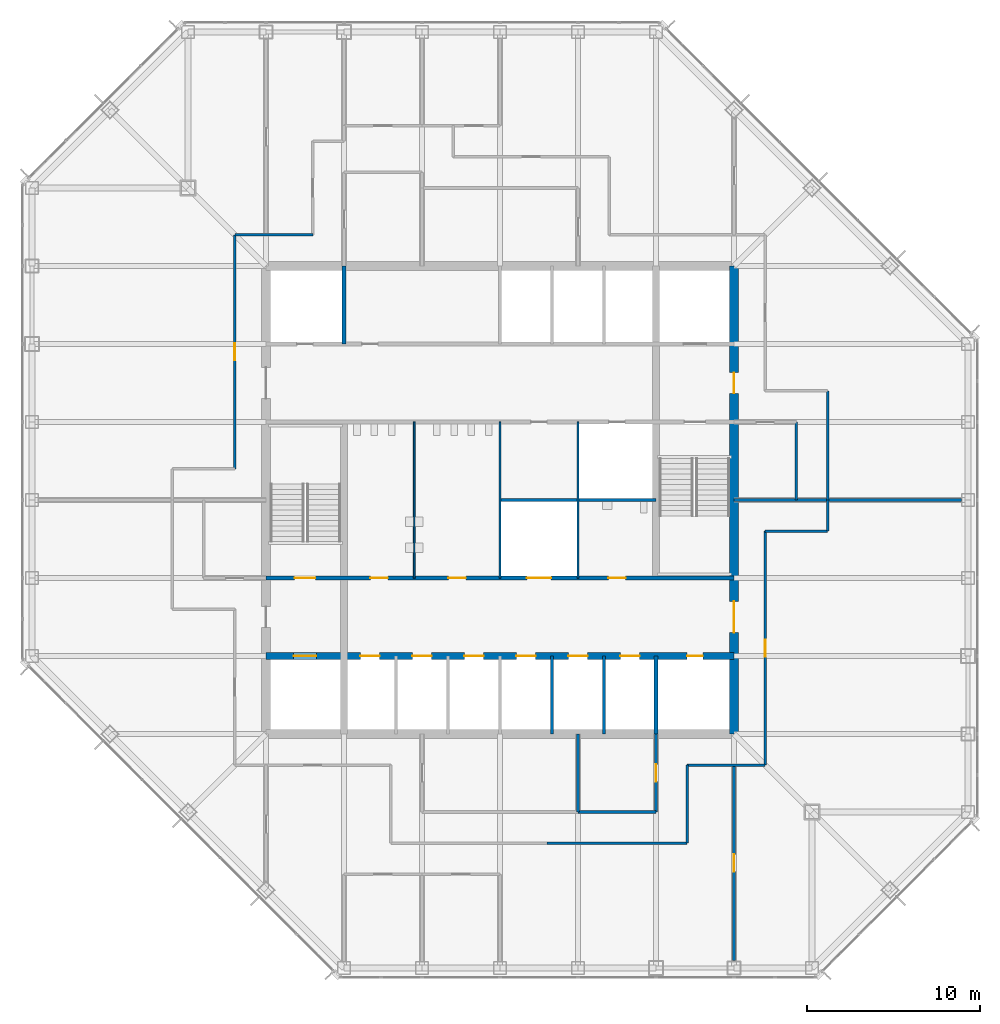
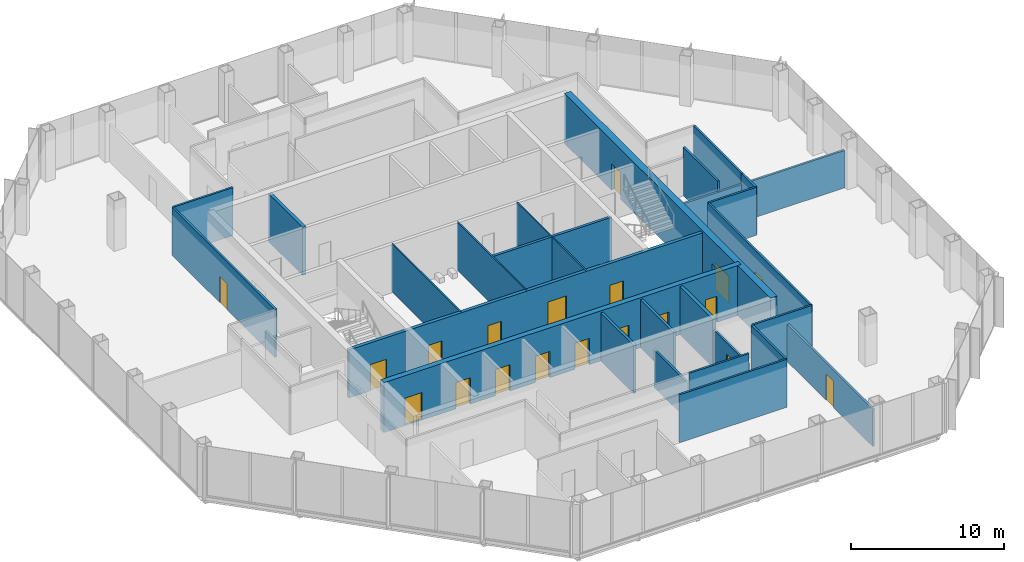
# One storey, part 9 of 13: 26 walls, 19 doors, 19 openings.
"""IFC4 building model written with IfcOpenShell, lengths in metres."""

from ifc_helpers import new_model, si_unit, direction, frame, frame_2d, origin, place, context, subcontext, project, spatial, rectangle, extrude, material, layer, layer_set, type_object, element, fill, save


model = new_model("IFC4")

# Units and contexts
model_context = context("Model", 3, precision=1e-05, world=origin(), true_north=direction((0.0, 1.0)))
body_context = subcontext(model_context, "Body", "Model", "MODEL_VIEW")
ifc_project = project(units=[si_unit("LENGTHUNIT", "METRE"), si_unit("AREAUNIT", "SQUARE_METRE"), si_unit("VOLUMEUNIT", "CUBIC_METRE"), si_unit("PLANEANGLEUNIT", "RADIAN"), si_unit("MASSUNIT", "GRAM", prefix="KILO")], contexts=[model_context])

# Site, building, storey
site_placement = place(None, origin())
site = spatial("IfcSite", under=ifc_project, at=site_placement, CompositionType="ELEMENT")
building_placement = place(site_placement, origin())
building = spatial("IfcBuilding", under=site, at=building_placement, Name="Corais Broadcast Tower", CompositionType="ELEMENT")
storey_placement = place(building_placement, frame((0.0, 0.0, 123.60009765625)))
storey = spatial("IfcBuildingStorey", under=building, at=storey_placement, Name="L27", CompositionType="ELEMENT", Elevation=123.60009765625)

# Walls
ifc_material_1 = material(Name="Concrete blockwork class A, grouted, two-hour", Category="masonry")
ifc_layer_1 = layer(ifc_material_1, 0.25)
ifc_layer_set_1 = layer_set([ifc_layer_1], Name="Concrete blockwork class A, grouted, two-hour")
wall_type_1 = type_object("IfcWallType", Name="Core lobby wall 250", PredefinedType="SOLIDWALL", material=ifc_layer_set_1)
for number, where, z_axis, x_axis, name in (
    (1, (18.0, 36.0, 0.0), (0.0, 0.0, 1.0), (0.0, 1.0, 0.0), "CL2 core shaft wall X18B L27"),
    (2, (36.0, 13.5, 0.0), (0.0, 0.0, 1.0), (0.0, 1.0, 0.0), "CL2 core shaft wall X36A L27"),
):
    element("IfcWall", number, at=place(storey_placement, frame(where, z_axis=z_axis, x_axis=x_axis)), inside=storey, type_object=wall_type_1, Name=name, PredefinedType="SOLIDWALL", context=body_context, shape_type="SweptSolid", body=[
        extrude(rectangle(XDim=4.5, YDim=0.25, at=frame_2d((2.25, 0.0))), origin(), (0.0, 0.0, 1.0), 3.83984375),
    ])

# Wall, openings, doors
wall_1_placement = place(storey_placement, frame((13.5, 22.5, 0.0), z_axis=(0.0, 0.0, 1.0), x_axis=(1.0, 0.0, 0.0)))
wall_1 = element("IfcWall", 3, at=wall_1_placement, inside=storey, type_object=wall_type_1, Name="CL2 core lobby wall Y225 L27", PredefinedType="SOLIDWALL", context=body_context, shape_type="SweptSolid", body=[
    extrude(rectangle(XDim=27.0, YDim=0.25, at=frame_2d((13.5, 0.0))), origin(), (0.0, 0.0, 1.0), 3.83984375),
])
opening_1_placement = place(wall_1_placement, frame((1.64990234375, 0.0, 0.0)))
opening_1 = element("IfcOpeningElement", 4, at=opening_1_placement, cuts=wall_1, Name="Opening FD1", PredefinedType="OPENING", context=body_context, shape_type="SweptSolid", body=[
    extrude(rectangle(XDim=1.199951171875, YDim=2.10009765625, at=frame_2d((0.60009765625, 1.050048828125))), frame((0.0, 0.135009765625, 0.0), z_axis=(0.0, -1.0, 0.0), x_axis=(1.0, 0.0, 0.0)), (0.0, 0.0, 1.0), 0.27001953125),
])
opening_2_placement = place(wall_1_placement, frame((6.02490234375, 0.0, 0.0)))
opening_2 = element("IfcOpeningElement", 5, at=opening_2_placement, cuts=wall_1, Name="Opening WD1", PredefinedType="OPENING", context=body_context, shape_type="SweptSolid", body=[
    extrude(rectangle(XDim=1.0, YDim=2.10009765625, at=frame_2d((0.5, 1.050048828125))), frame((0.0, 0.135009765625, 0.0), z_axis=(0.0, -1.0, 0.0), x_axis=(1.0, 0.0, 0.0)), (0.0, 0.0, 1.0), 0.27001953125),
])
opening_3_placement = place(wall_1_placement, frame((10.52490234375, 0.0, 0.0)))
opening_3 = element("IfcOpeningElement", 6, at=opening_3_placement, cuts=wall_1, Name="Opening WD1", PredefinedType="OPENING", context=body_context, shape_type="SweptSolid", body=[
    extrude(rectangle(XDim=1.0, YDim=2.10009765625, at=frame_2d((0.5, 1.050048828125))), frame((0.0, 0.135009765625, 0.0), z_axis=(0.0, -1.0, 0.0), x_axis=(1.0, 0.0, 0.0)), (0.0, 0.0, 1.0), 0.27001953125),
])
opening_4_placement = place(wall_1_placement, frame((19.75, 0.0, 0.0)))
opening_4 = element("IfcOpeningElement", 7, at=opening_4_placement, cuts=wall_1, Name="Opening WD1", PredefinedType="OPENING", context=body_context, shape_type="SweptSolid", body=[
    extrude(rectangle(XDim=1.0, YDim=2.10009765625, at=frame_2d((0.5, 1.050048828125))), frame((0.0, 0.135009765625, 0.0), z_axis=(0.0, -1.0, 0.0), x_axis=(1.0, 0.0, 0.0)), (0.0, 0.0, 1.0), 0.27001953125),
])
opening_5_placement = place(wall_1_placement, frame((15.050048828125, 0.0, 0.0)))
opening_5 = element("IfcOpeningElement", 8, at=opening_5_placement, cuts=wall_1, Name="Opening LD3", PredefinedType="OPENING", context=body_context, shape_type="SweptSolid", body=[
    extrude(rectangle(XDim=1.39990234375, YDim=2.39990234375, at=frame_2d((0.699951171875, 1.199951171875))), frame((0.0, 0.135009765625, 0.0), z_axis=(0.0, -1.0, 0.0), x_axis=(1.0, 0.0, 0.0)), (0.0, 0.0, 1.0), 0.27001953125),
])
ifc_material_2 = material(Name="Steel fire door", Category="steel")
door_type_1 = type_object("IfcDoorType", Name="Fire door 1200x2100", OperationType="SINGLE_SWING_LEFT", PredefinedType="DOOR", material=ifc_material_2)
door_1_placement = place(opening_1_placement, origin())
door_1 = element("IfcDoor", 9, at=door_1_placement, inside=storey, type_object=door_type_1, Name="FD1 stair A door L27", OperationType="SINGLE_SWING_LEFT", OverallHeight=2.10009765625, OverallWidth=1.199951171875, PredefinedType="DOOR", context=body_context, shape_type="SweptSolid", body=[
    extrude(rectangle(XDim=1.199951171875, YDim=2.10009765625, at=frame_2d((0.60009765625, 1.050048828125))), frame((0.0, 0.02490234375, 0.0), z_axis=(0.0, -1.0, 0.0), x_axis=(1.0, 0.0, 0.0)), (0.0, 0.0, 1.0), 0.050048828125),
])
fill(opening_1, door_1)
ifc_material_3 = material(Name="Stainless steel lift door", Category="steel")
door_type_2 = type_object("IfcDoorType", Name="Service lift landing door 1400x2400", OperationType="SLIDING_TO_LEFT", PredefinedType="DOOR", material=ifc_material_3)
door_2_placement = place(opening_5_placement, origin())
door_2 = element("IfcDoor", 10, at=door_2_placement, inside=storey, type_object=door_type_2, Name="LD3 SL1 landing door L27", OperationType="SLIDING_TO_LEFT", OverallHeight=2.39990234375, OverallWidth=1.39990234375, PredefinedType="DOOR", context=body_context, shape_type="SweptSolid", body=[
    extrude(rectangle(XDim=1.39990234375, YDim=2.39990234375, at=frame_2d((0.699951171875, 1.199951171875))), frame((0.0, 0.02490234375, 0.0), z_axis=(0.0, -1.0, 0.0), x_axis=(1.0, 0.0, 0.0)), (0.0, 0.0, 1.0), 0.050048828125),
])
fill(opening_5, door_2)
ifc_material_4 = material(Name="Timber door", Category="wood")
door_type_3 = type_object("IfcDoorType", Name="Toilet door 1000x2100", OperationType="SINGLE_SWING_LEFT", PredefinedType="DOOR", material=ifc_material_4)
door_3_placement = place(opening_2_placement, origin())
door_3 = element("IfcDoor", 11, at=door_3_placement, inside=storey, type_object=door_type_3, Name="WD1 WC male door L27", OperationType="SINGLE_SWING_LEFT", OverallHeight=2.10009765625, OverallWidth=1.0, PredefinedType="DOOR", context=body_context, shape_type="SweptSolid", body=[
    extrude(rectangle(XDim=1.0, YDim=2.10009765625, at=frame_2d((0.5, 1.050048828125))), frame((0.0, 0.02490234375, 0.0), z_axis=(0.0, -1.0, 0.0), x_axis=(1.0, 0.0, 0.0)), (0.0, 0.0, 1.0), 0.050048828125),
])
fill(opening_2, door_3)
door_4_placement = place(opening_3_placement, origin())
door_4 = element("IfcDoor", 12, at=door_4_placement, inside=storey, type_object=door_type_3, Name="WD1 WC female door L27", OperationType="SINGLE_SWING_LEFT", OverallHeight=2.10009765625, OverallWidth=1.0, PredefinedType="DOOR", context=body_context, shape_type="SweptSolid", body=[
    extrude(rectangle(XDim=1.0, YDim=2.10009765625, at=frame_2d((0.5, 1.050048828125))), frame((0.0, 0.02490234375, 0.0), z_axis=(0.0, -1.0, 0.0), x_axis=(1.0, 0.0, 0.0)), (0.0, 0.0, 1.0), 0.050048828125),
])
fill(opening_3, door_4)
door_5_placement = place(opening_4_placement, origin())
door_5 = element("IfcDoor", 13, at=door_5_placement, inside=storey, type_object=door_type_3, Name="WD1 accessible WC door L27", OperationType="SINGLE_SWING_RIGHT", OverallHeight=2.10009765625, OverallWidth=1.0, PredefinedType="DOOR", context=body_context, shape_type="SweptSolid", body=[
    extrude(rectangle(XDim=1.0, YDim=2.10009765625, at=frame_2d((0.5, 1.050048828125))), frame((0.0, 0.02490234375, 0.0), z_axis=(0.0, -1.0, 0.0), x_axis=(1.0, 0.0, 0.0)), (0.0, 0.0, 1.0), 0.050048828125),
])
fill(opening_4, door_5)

ifc_material_5 = material(Name="Concrete C50/60", Category="concrete")
ifc_layer_2 = layer(ifc_material_5, 0.39990234375)
ifc_layer_set_2 = layer_set([ifc_layer_2], Name="Concrete C50/60")
wall_type_2 = type_object("IfcWallType", Name="Core wall 400", PredefinedType="SHEAR", material=ifc_layer_set_2)
wall_2_placement = place(storey_placement, frame((13.5, 18.0, 0.0), z_axis=(0.0, 0.0, 1.0), x_axis=(1.0, 0.0, 0.0)))
wall_2 = element("IfcWall", 14, at=wall_2_placement, inside=storey, type_object=wall_type_2, Name="CR400 core wall Y18 L27", PredefinedType="SHEAR", context=body_context, shape_type="SweptSolid", body=[
    extrude(rectangle(XDim=27.0, YDim=0.39990234375, at=frame_2d((13.5, 0.0))), origin(), (0.0, 0.0, 1.0), 4.0),
])
opening_6_placement = place(wall_2_placement, frame((24.300048828125, 0.0, 0.0)))
opening_6 = element("IfcOpeningElement", 15, at=opening_6_placement, cuts=wall_2, Name="Opening RD1", PredefinedType="OPENING", context=body_context, shape_type="SweptSolid", body=[
    extrude(rectangle(XDim=0.89990234375, YDim=2.10009765625, at=frame_2d((0.449951171875, 1.050048828125))), frame((0.0, 0.2099609375, 0.0), z_axis=(0.0, -1.0, 0.0), x_axis=(1.0, 0.0, 0.0)), (0.0, 0.0, 1.0), 0.419921875),
])
opening_7_placement = place(wall_2_placement, frame((5.449951171875, 0.0, 0.0)))
opening_7 = element("IfcOpeningElement", 16, at=opening_7_placement, cuts=wall_2, Name="Opening LD1", PredefinedType="OPENING", context=body_context, shape_type="SweptSolid", body=[
    extrude(rectangle(XDim=1.10009765625, YDim=2.10009765625, at=frame_2d((0.550048828125, 1.050048828125))), frame((0.0, 0.2099609375, 0.0), z_axis=(0.0, -1.0, 0.0), x_axis=(1.0, 0.0, 0.0)), (0.0, 0.0, 1.0), 0.419921875),
])
opening_8_placement = place(wall_2_placement, frame((8.449951171875, 0.0, 0.0)))
opening_8 = element("IfcOpeningElement", 17, at=opening_8_placement, cuts=wall_2, Name="Opening LD1", PredefinedType="OPENING", context=body_context, shape_type="SweptSolid", body=[
    extrude(rectangle(XDim=1.10009765625, YDim=2.10009765625, at=frame_2d((0.550048828125, 1.050048828125))), frame((0.0, 0.2099609375, 0.0), z_axis=(0.0, -1.0, 0.0), x_axis=(1.0, 0.0, 0.0)), (0.0, 0.0, 1.0), 0.419921875),
])
opening_9_placement = place(wall_2_placement, frame((11.449951171875, 0.0, 0.0)))
opening_9 = element("IfcOpeningElement", 18, at=opening_9_placement, cuts=wall_2, Name="Opening LD1", PredefinedType="OPENING", context=body_context, shape_type="SweptSolid", body=[
    extrude(rectangle(XDim=1.10009765625, YDim=2.10009765625, at=frame_2d((0.550048828125, 1.050048828125))), frame((0.0, 0.2099609375, 0.0), z_axis=(0.0, -1.0, 0.0), x_axis=(1.0, 0.0, 0.0)), (0.0, 0.0, 1.0), 0.419921875),
])
opening_10_placement = place(wall_2_placement, frame((14.449951171875, 0.0, 0.0)))
opening_10 = element("IfcOpeningElement", 19, at=opening_10_placement, cuts=wall_2, Name="Opening LD1", PredefinedType="OPENING", context=body_context, shape_type="SweptSolid", body=[
    extrude(rectangle(XDim=1.10009765625, YDim=2.10009765625, at=frame_2d((0.550048828125, 1.050048828125))), frame((0.0, 0.2099609375, 0.0), z_axis=(0.0, -1.0, 0.0), x_axis=(1.0, 0.0, 0.0)), (0.0, 0.0, 1.0), 0.419921875),
])
opening_11_placement = place(wall_2_placement, frame((17.449951171875, 0.0, 0.0)))
opening_11 = element("IfcOpeningElement", 20, at=opening_11_placement, cuts=wall_2, Name="Opening LD1", PredefinedType="OPENING", context=body_context, shape_type="SweptSolid", body=[
    extrude(rectangle(XDim=1.10009765625, YDim=2.10009765625, at=frame_2d((0.550048828125, 1.050048828125))), frame((0.0, 0.2099609375, 0.0), z_axis=(0.0, -1.0, 0.0), x_axis=(1.0, 0.0, 0.0)), (0.0, 0.0, 1.0), 0.419921875),
])
opening_12_placement = place(wall_2_placement, frame((20.449951171875, 0.0, 0.0)))
opening_12 = element("IfcOpeningElement", 21, at=opening_12_placement, cuts=wall_2, Name="Opening LD1", PredefinedType="OPENING", context=body_context, shape_type="SweptSolid", body=[
    extrude(rectangle(XDim=1.10009765625, YDim=2.10009765625, at=frame_2d((0.550048828125, 1.050048828125))), frame((0.0, 0.2099609375, 0.0), z_axis=(0.0, -1.0, 0.0), x_axis=(1.0, 0.0, 0.0)), (0.0, 0.0, 1.0), 0.419921875),
])
opening_13_placement = place(wall_2_placement, frame((1.60009765625, 0.0, 0.0)))
opening_13 = element("IfcOpeningElement", 22, at=opening_13_placement, cuts=wall_2, Name="Opening LD2", PredefinedType="OPENING", context=body_context, shape_type="SweptSolid", body=[
    extrude(rectangle(XDim=1.300048828125, YDim=2.199951171875, at=frame_2d((0.64990234375, 1.10009765625))), frame((0.0, 0.2099609375, 0.0), z_axis=(0.0, -1.0, 0.0), x_axis=(1.0, 0.0, 0.0)), (0.0, 0.0, 1.0), 0.419921875),
])
ifc_material_6 = material(Name="Stainless steel lift door", Category="steel")
door_type_4 = type_object("IfcDoorType", Name="Lift landing door 1100x2100", OperationType="SLIDING_TO_LEFT", PredefinedType="DOOR", material=ifc_material_6)
door_6_placement = place(opening_7_placement, origin())
door_6 = element("IfcDoor", 23, at=door_6_placement, inside=storey, type_object=door_type_4, Name="LD1 PM1 landing door L27", OperationType="SLIDING_TO_LEFT", OverallHeight=2.10009765625, OverallWidth=1.10009765625, PredefinedType="DOOR", context=body_context, shape_type="SweptSolid", body=[
    extrude(rectangle(XDim=1.10009765625, YDim=2.10009765625, at=frame_2d((0.550048828125, 1.050048828125))), frame((0.0, 0.02490234375, 0.0), z_axis=(0.0, -1.0, 0.0), x_axis=(1.0, 0.0, 0.0)), (0.0, 0.0, 1.0), 0.050048828125),
])
fill(opening_7, door_6)
door_7_placement = place(opening_8_placement, origin())
door_7 = element("IfcDoor", 24, at=door_7_placement, inside=storey, type_object=door_type_4, Name="LD1 PM2 landing door L27", OperationType="SLIDING_TO_LEFT", OverallHeight=2.10009765625, OverallWidth=1.10009765625, PredefinedType="DOOR", context=body_context, shape_type="SweptSolid", body=[
    extrude(rectangle(XDim=1.10009765625, YDim=2.10009765625, at=frame_2d((0.550048828125, 1.050048828125))), frame((0.0, 0.02490234375, 0.0), z_axis=(0.0, -1.0, 0.0), x_axis=(1.0, 0.0, 0.0)), (0.0, 0.0, 1.0), 0.050048828125),
])
fill(opening_8, door_7)
door_8_placement = place(opening_9_placement, origin())
door_8 = element("IfcDoor", 25, at=door_8_placement, inside=storey, type_object=door_type_4, Name="LD1 PM3 landing door L27", OperationType="SLIDING_TO_LEFT", OverallHeight=2.10009765625, OverallWidth=1.10009765625, PredefinedType="DOOR", context=body_context, shape_type="SweptSolid", body=[
    extrude(rectangle(XDim=1.10009765625, YDim=2.10009765625, at=frame_2d((0.550048828125, 1.050048828125))), frame((0.0, 0.02490234375, 0.0), z_axis=(0.0, -1.0, 0.0), x_axis=(1.0, 0.0, 0.0)), (0.0, 0.0, 1.0), 0.050048828125),
])
fill(opening_9, door_8)
door_9_placement = place(opening_10_placement, origin())
door_9 = element("IfcDoor", 26, at=door_9_placement, inside=storey, type_object=door_type_4, Name="LD1 PM4 landing door L27", OperationType="SLIDING_TO_LEFT", OverallHeight=2.10009765625, OverallWidth=1.10009765625, PredefinedType="DOOR", context=body_context, shape_type="SweptSolid", body=[
    extrude(rectangle(XDim=1.10009765625, YDim=2.10009765625, at=frame_2d((0.550048828125, 1.050048828125))), frame((0.0, 0.02490234375, 0.0), z_axis=(0.0, -1.0, 0.0), x_axis=(1.0, 0.0, 0.0)), (0.0, 0.0, 1.0), 0.050048828125),
])
fill(opening_10, door_9)
door_10_placement = place(opening_11_placement, origin())
door_10 = element("IfcDoor", 27, at=door_10_placement, inside=storey, type_object=door_type_4, Name="LD1 PM5 landing door L27", OperationType="SLIDING_TO_LEFT", OverallHeight=2.10009765625, OverallWidth=1.10009765625, PredefinedType="DOOR", context=body_context, shape_type="SweptSolid", body=[
    extrude(rectangle(XDim=1.10009765625, YDim=2.10009765625, at=frame_2d((0.550048828125, 1.050048828125))), frame((0.0, 0.02490234375, 0.0), z_axis=(0.0, -1.0, 0.0), x_axis=(1.0, 0.0, 0.0)), (0.0, 0.0, 1.0), 0.050048828125),
])
fill(opening_11, door_10)
door_11_placement = place(opening_12_placement, origin())
door_11 = element("IfcDoor", 28, at=door_11_placement, inside=storey, type_object=door_type_4, Name="LD1 PM6 landing door L27", OperationType="SLIDING_TO_LEFT", OverallHeight=2.10009765625, OverallWidth=1.10009765625, PredefinedType="DOOR", context=body_context, shape_type="SweptSolid", body=[
    extrude(rectangle(XDim=1.10009765625, YDim=2.10009765625, at=frame_2d((0.550048828125, 1.050048828125))), frame((0.0, 0.02490234375, 0.0), z_axis=(0.0, -1.0, 0.0), x_axis=(1.0, 0.0, 0.0)), (0.0, 0.0, 1.0), 0.050048828125),
])
fill(opening_12, door_11)
ifc_material_7 = material(Name="Stainless steel lift door", Category="steel")
door_type_5 = type_object("IfcDoorType", Name="Lift landing door 1300x2200", OperationType="SLIDING_TO_LEFT", PredefinedType="DOOR", material=ifc_material_7)
door_12_placement = place(opening_13_placement, origin())
door_12 = element("IfcDoor", 29, at=door_12_placement, inside=storey, type_object=door_type_5, Name="LD2 FL1 landing door L27", OperationType="SLIDING_TO_LEFT", OverallHeight=2.199951171875, OverallWidth=1.300048828125, PredefinedType="DOOR", context=body_context, shape_type="SweptSolid", body=[
    extrude(rectangle(XDim=1.300048828125, YDim=2.199951171875, at=frame_2d((0.64990234375, 1.10009765625))), frame((0.0, 0.02490234375, 0.0), z_axis=(0.0, -1.0, 0.0), x_axis=(1.0, 0.0, 0.0)), (0.0, 0.0, 1.0), 0.050048828125),
])
fill(opening_13, door_12)
ifc_material_8 = material(Name="Steel fire door", Category="steel")
door_type_6 = type_object("IfcDoorType", Name="Riser door 900x2100", OperationType="SINGLE_SWING_LEFT", PredefinedType="DOOR", material=ifc_material_8)
door_13_placement = place(opening_6_placement, origin())
door_13 = element("IfcDoor", 30, at=door_13_placement, inside=storey, type_object=door_type_6, Name="RD1 riser door L27", OperationType="SINGLE_SWING_RIGHT", OverallHeight=2.10009765625, OverallWidth=0.89990234375, PredefinedType="DOOR", context=body_context, shape_type="SweptSolid", body=[
    extrude(rectangle(XDim=0.89990234375, YDim=2.10009765625, at=frame_2d((0.449951171875, 1.050048828125))), frame((0.0, 0.02490234375, 0.0), z_axis=(0.0, -1.0, 0.0), x_axis=(1.0, 0.0, 0.0)), (0.0, 0.0, 1.0), 0.050048828125),
])
fill(opening_6, door_13)

ifc_material_9 = material(Name="Concrete C50/60", Category="concrete")
ifc_layer_3 = layer(ifc_material_9, 0.5)
ifc_layer_set_3 = layer_set([ifc_layer_3], Name="Concrete C50/60")
wall_type_3 = type_object("IfcWallType", Name="Core wall 500", PredefinedType="SHEAR", material=ifc_layer_set_3)
wall_3_placement = place(storey_placement, frame((40.5, 13.5, 0.0), z_axis=(0.0, 0.0, 1.0), x_axis=(0.0, 1.0, 0.0)))
wall_3 = element("IfcWall", 31, at=wall_3_placement, inside=storey, type_object=wall_type_3, Name="CR500 core wall E L27", PredefinedType="SHEAR", context=body_context, shape_type="SweptSolid", body=[
    extrude(rectangle(XDim=27.0, YDim=0.5, at=frame_2d((13.5, 0.0))), origin(), (0.0, 0.0, 1.0), 4.0),
])
opening_14_placement = place(wall_3_placement, frame((5.85009765625, 0.0, 0.0)))
opening_14 = element("IfcOpeningElement", 32, at=opening_14_placement, cuts=wall_3, Name="Opening FD2", PredefinedType="OPENING", context=body_context, shape_type="SweptSolid", body=[
    extrude(rectangle(XDim=1.800048828125, YDim=2.10009765625, at=frame_2d((0.89990234375, 1.050048828125))), frame((0.0, 0.260009765625, 0.0), z_axis=(0.0, -1.0, 0.0), x_axis=(1.0, 0.0, 0.0)), (0.0, 0.0, 1.0), 0.52001953125),
])
opening_15_placement = place(wall_3_placement, frame((19.64990234375, 0.0, 0.0)))
opening_15 = element("IfcOpeningElement", 33, at=opening_15_placement, cuts=wall_3, Name="Opening FD1", PredefinedType="OPENING", context=body_context, shape_type="SweptSolid", body=[
    extrude(rectangle(XDim=1.199951171875, YDim=2.10009765625, at=frame_2d((0.60009765625, 1.050048828125))), frame((0.0, 0.260009765625, 0.0), z_axis=(0.0, -1.0, 0.0), x_axis=(1.0, 0.0, 0.0)), (0.0, 0.0, 1.0), 0.52001953125),
])
door_14_placement = place(opening_15_placement, origin())
door_14 = element("IfcDoor", 34, at=door_14_placement, inside=storey, type_object=door_type_1, Name="FD1 fire lobby B door L27", OperationType="SINGLE_SWING_RIGHT", OverallHeight=2.10009765625, OverallWidth=1.199951171875, PredefinedType="DOOR", context=body_context, shape_type="SweptSolid", body=[
    extrude(rectangle(XDim=1.199951171875, YDim=2.10009765625, at=frame_2d((0.60009765625, 1.050048828125))), frame((0.0, 0.02490234375, 0.0), z_axis=(0.0, -1.0, 0.0), x_axis=(1.0, 0.0, 0.0)), (0.0, 0.0, 1.0), 0.050048828125),
])
fill(opening_15, door_14)
ifc_material_10 = material(Name="Steel fire door", Category="steel")
door_type_7 = type_object("IfcDoorType", Name="Fire door pair 1800x2100", OperationType="DOUBLE_DOOR_SINGLE_SWING", PredefinedType="DOOR", material=ifc_material_10)
door_15_placement = place(opening_14_placement, origin())
door_15 = element("IfcDoor", 35, at=door_15_placement, inside=storey, type_object=door_type_7, Name="FD2 lift lobby door L27", OperationType="SINGLE_SWING_LEFT", OverallHeight=2.10009765625, OverallWidth=1.800048828125, PredefinedType="DOOR", context=body_context, shape_type="SweptSolid", body=[
    extrude(rectangle(XDim=1.800048828125, YDim=2.10009765625, at=frame_2d((0.89990234375, 1.050048828125))), frame((0.0, 0.02490234375, 0.0), z_axis=(0.0, -1.0, 0.0), x_axis=(1.0, 0.0, 0.0)), (0.0, 0.0, 1.0), 0.050048828125),
])
fill(opening_14, door_15)

# Wall
ifc_material_11 = material(Name="Two layers of fire-rated gypsum board each side on steel studs", Category="steel")
ifc_layer_4 = layer(ifc_material_11, 0.14990234375)
ifc_layer_set_4 = layer_set([ifc_layer_4], Name="Two layers of fire-rated gypsum board each side on steel studs")
wall_type_4 = type_object("IfcWallType", Name="Fire-rated partition 150 EI 60", PredefinedType="PARTITIONING", material=ifc_layer_set_4)
wall_4_placement = place(storey_placement, frame((40.5, 27.0, 0.0), z_axis=(0.0, 0.0, 1.0), x_axis=(1.0, 0.0, 0.0)))
element("IfcWall", 36, at=wall_4_placement, inside=storey, type_object=wall_type_4, Name="IW7 tenancy wall L27", PredefinedType="PARTITIONING", context=body_context, shape_type="SweptSolid", body=[
    extrude(rectangle(XDim=13.114990234375, YDim=0.14990234375, at=frame_2d((6.5576171875, 0.0))), origin(), (0.0, 0.0, 1.0), 2.989013671875),
])

# Wall, opening, door
ifc_material_12 = material(Name="Gypsum board on steel studs", Category="steel")
ifc_layer_5 = layer(ifc_material_12, 0.14990234375)
ifc_layer_set_5 = layer_set([ifc_layer_5], Name="Gypsum board on steel studs")
wall_type_5 = type_object("IfcWallType", Name="Partition 150", PredefinedType="PARTITIONING", material=ifc_layer_set_5)
wall_5_placement = place(storey_placement, frame((42.300048828125, 11.699951171875, 0.0), z_axis=(0.0, 0.0, 1.0), x_axis=(0.0, 1.0, 0.0)))
wall_5 = element("IfcWall", 37, at=wall_5_placement, inside=storey, type_object=wall_type_5, Name="IW3 corridor wall L27", PredefinedType="PARTITIONING", context=body_context, shape_type="SweptSolid", body=[
    extrude(rectangle(XDim=13.5, YDim=0.14990234375, at=frame_2d((6.75, 0.0))), origin(), (0.0, 0.0, 1.0), 3.83984375),
])
opening_16_placement = place(wall_5_placement, frame((6.25, 0.0, 0.0)))
opening_16 = element("IfcOpeningElement", 38, at=opening_16_placement, cuts=wall_5, Name="Opening D1", PredefinedType="OPENING", context=body_context, shape_type="SweptSolid", body=[
    extrude(rectangle(XDim=1.0, YDim=2.10009765625, at=frame_2d((0.5, 1.050048828125))), frame((0.0, 0.0849609375, 0.0), z_axis=(0.0, -1.0, 0.0), x_axis=(1.0, 0.0, 0.0)), (0.0, 0.0, 1.0), 0.169921875),
])
ifc_material_13 = material(Name="Timber door", Category="wood")
door_type_8 = type_object("IfcDoorType", Name="Single door 1000x2100", OperationType="SINGLE_SWING_LEFT", PredefinedType="DOOR", material=ifc_material_13)
door_16_placement = place(opening_16_placement, origin())
door_16 = element("IfcDoor", 39, at=door_16_placement, inside=storey, type_object=door_type_8, Name="D1 workplace door L27", OperationType="SINGLE_SWING_LEFT", OverallHeight=2.10009765625, OverallWidth=1.0, PredefinedType="DOOR", context=body_context, shape_type="SweptSolid", body=[
    extrude(rectangle(XDim=1.0, YDim=2.10009765625, at=frame_2d((0.5, 1.050048828125))), frame((0.0, 0.02490234375, 0.0), z_axis=(0.0, -1.0, 0.0), x_axis=(1.0, 0.0, 0.0)), (0.0, 0.0, 1.0), 0.050048828125),
])
fill(opening_16, door_16)

# Walls
wall_6_placement = place(storey_placement, frame((29.699951171875, 7.199951171875, 0.0), z_axis=(0.0, 0.0, 1.0), x_axis=(1.0, 0.0, 0.0)))
element("IfcWall", 40, at=wall_6_placement, inside=storey, type_object=wall_type_5, Name="IW3 corridor wall L27", PredefinedType="PARTITIONING", context=body_context, shape_type="SweptSolid", body=[
    extrude(rectangle(XDim=8.10009765625, YDim=0.14990234375, at=frame_2d((4.050048828125, 0.0))), origin(), (0.0, 0.0, 1.0), 3.83984375),
])
for number, where, z_axis, x_axis, name in (
    (41, (37.800048828125, 7.199951171875, 0.0), (0.0, 0.0, 1.0), (0.0, 1.0, 0.0), "IW3 corridor wall L27"),
    (42, (37.800048828125, 11.699951171875, 0.0), (0.0, 0.0, 1.0), (1.0, 0.0, 0.0), "IW3 corridor wall L27"),
):
    element("IfcWall", number, at=place(storey_placement, frame(where, z_axis=z_axis, x_axis=x_axis)), inside=storey, type_object=wall_type_5, Name=name, PredefinedType="PARTITIONING", context=body_context, shape_type="SweptSolid", body=[
        extrude(rectangle(XDim=4.5, YDim=0.14990234375, at=frame_2d((2.25, 0.0))), origin(), (0.0, 0.0, 1.0), 3.83984375),
    ])
wall_7_placement = place(storey_placement, frame((42.300048828125, 25.199951171875, 0.0), z_axis=(0.0, 0.0, 1.0), x_axis=(1.0, 0.0, 0.0)))
element("IfcWall", 43, at=wall_7_placement, inside=storey, type_object=wall_type_5, Name="IW3 corridor wall L27", PredefinedType="PARTITIONING", context=body_context, shape_type="SweptSolid", body=[
    extrude(rectangle(XDim=3.599853515625, YDim=0.14990234375, at=frame_2d((1.7998046875, 0.0))), origin(), (0.0, 0.0, 1.0), 3.83984375),
])
wall_8_placement = place(storey_placement, frame((45.89990234375, 25.199951171875, 0.0), z_axis=(0.0, 0.0, 1.0), x_axis=(0.0, 1.0, 0.0)))
element("IfcWall", 44, at=wall_8_placement, inside=storey, type_object=wall_type_5, Name="IW3 corridor wall L27", PredefinedType="PARTITIONING", context=body_context, shape_type="SweptSolid", body=[
    extrude(rectangle(XDim=1.799560546875, YDim=0.14990234375, at=frame_2d((0.89990234375, 0.0))), origin(), (0.0, 0.0, 1.0), 3.83984375),
])

# Wall, opening, door
wall_9_placement = place(storey_placement, frame((11.699951171875, 42.300048828125, 0.0), z_axis=(0.0, 0.0, 1.0), x_axis=(0.0, -1.0, 0.0)))
wall_9 = element("IfcWall", 45, at=wall_9_placement, inside=storey, type_object=wall_type_5, Name="IW3 corridor wall L27", PredefinedType="PARTITIONING", context=body_context, shape_type="SweptSolid", body=[
    extrude(rectangle(XDim=13.5, YDim=0.14990234375, at=frame_2d((6.75, 0.0))), origin(), (0.0, 0.0, 1.0), 3.83984375),
])
opening_17_placement = place(wall_9_placement, frame((6.25, 0.0, 0.0)))
opening_17 = element("IfcOpeningElement", 46, at=opening_17_placement, cuts=wall_9, Name="Opening D1", PredefinedType="OPENING", context=body_context, shape_type="SweptSolid", body=[
    extrude(rectangle(XDim=1.0, YDim=2.10009765625, at=frame_2d((0.5, 1.050048828125))), frame((0.0, 0.0849609375, 0.0), z_axis=(0.0, -1.0, 0.0), x_axis=(1.0, 0.0, 0.0)), (0.0, 0.0, 1.0), 0.169921875),
])
door_17_placement = place(opening_17_placement, origin())
door_17 = element("IfcDoor", 47, at=door_17_placement, inside=storey, type_object=door_type_8, Name="D1 workplace door L27", OperationType="SINGLE_SWING_LEFT", OverallHeight=2.10009765625, OverallWidth=1.0, PredefinedType="DOOR", context=body_context, shape_type="SweptSolid", body=[
    extrude(rectangle(XDim=1.0, YDim=2.10009765625, at=frame_2d((0.5, 1.050048828125))), frame((0.0, 0.02490234375, 0.0), z_axis=(0.0, -1.0, 0.0), x_axis=(1.0, 0.0, 0.0)), (0.0, 0.0, 1.0), 0.050048828125),
])
fill(opening_17, door_17)

# Walls
wall_10_placement = place(storey_placement, frame((16.199951171875, 42.300048828125, 0.0), z_axis=(0.0, 0.0, 1.0), x_axis=(-1.0, 0.0, 0.0)))
element("IfcWall", 48, at=wall_10_placement, inside=storey, type_object=wall_type_5, Name="IW3 corridor wall L27", PredefinedType="PARTITIONING", context=body_context, shape_type="SweptSolid", body=[
    extrude(rectangle(XDim=4.5, YDim=0.14990234375, at=frame_2d((2.25, 0.0))), origin(), (0.0, 0.0, 1.0), 3.83984375),
])
wall_11_placement = place(storey_placement, frame((45.89990234375, 27.00048828125, 0.0), z_axis=(0.0, 0.0, 1.0), x_axis=(0.0, 1.0, 0.0)))
element("IfcWall", 49, at=wall_11_placement, inside=storey, type_object=wall_type_5, Name="IW3 corridor wall L27", PredefinedType="PARTITIONING", context=body_context, shape_type="SweptSolid", body=[
    extrude(rectangle(XDim=6.299560546875, YDim=0.14990234375, at=frame_2d((3.14990234375, 0.0))), origin(), (0.0, 0.0, 1.0), 3.83984375),
])
wall_12_placement = place(storey_placement, frame((31.5, 9.0, 0.0), z_axis=(0.0, 0.0, 1.0), x_axis=(0.0, 1.0, 0.0)))
element("IfcWall", 50, at=wall_12_placement, inside=storey, type_object=wall_type_5, Name="IW3 partition L27", PredefinedType="PARTITIONING", context=body_context, shape_type="SweptSolid", body=[
    extrude(rectangle(XDim=4.5, YDim=0.14990234375, at=frame_2d((2.25, 0.0))), origin(), (0.0, 0.0, 1.0), 2.989013671875),
])
for number, where, z_axis, x_axis, name in (
    (51, (44.10009765625, 27.0, 0.0), (0.0, 0.0, 1.0), (0.0, 1.0, 0.0), "IW3 partition L27"),
    (52, (31.5, 9.0, 0.0), (0.0, 0.0, 1.0), (1.0, 0.0, 0.0), "IW3 partition L27"),
):
    element("IfcWall", number, at=place(storey_placement, frame(where, z_axis=z_axis, x_axis=x_axis)), inside=storey, type_object=wall_type_5, Name=name, PredefinedType="PARTITIONING", context=body_context, shape_type="SweptSolid", body=[
        extrude(rectangle(XDim=4.5, YDim=0.14990234375, at=frame_2d((2.25, 0.0))), origin(), (0.0, 0.0, 1.0), 3.83984375),
    ])

# Wall, opening, door
wall_13_placement = place(storey_placement, frame((36.0, 9.0, 0.0), z_axis=(0.0, 0.0, 1.0), x_axis=(0.0, 1.0, 0.0)))
wall_13 = element("IfcWall", 53, at=wall_13_placement, inside=storey, type_object=wall_type_5, Name="IW3 partition L27", PredefinedType="PARTITIONING", context=body_context, shape_type="SweptSolid", body=[
    extrude(rectangle(XDim=4.5, YDim=0.14990234375, at=frame_2d((2.25, 0.0))), origin(), (0.0, 0.0, 1.0), 2.989013671875),
])
opening_18_placement = place(wall_13_placement, frame((1.75, 0.0, 0.0)))
opening_18 = element("IfcOpeningElement", 54, at=opening_18_placement, cuts=wall_13, Name="Opening D1", PredefinedType="OPENING", context=body_context, shape_type="SweptSolid", body=[
    extrude(rectangle(XDim=1.0, YDim=2.10009765625, at=frame_2d((0.5, 1.050048828125))), frame((0.0, 0.0849609375, 0.0), z_axis=(0.0, -1.0, 0.0), x_axis=(1.0, 0.0, 0.0)), (0.0, 0.0, 1.0), 0.169921875),
])
door_18_placement = place(opening_18_placement, origin())
door_18 = element("IfcDoor", 55, at=door_18_placement, inside=storey, type_object=door_type_8, Name="D1 Meeting room door", OperationType="SINGLE_SWING_LEFT", OverallHeight=2.10009765625, OverallWidth=1.0, PredefinedType="DOOR", context=body_context, shape_type="SweptSolid", body=[
    extrude(rectangle(XDim=1.0, YDim=2.10009765625, at=frame_2d((0.5, 1.050048828125))), frame((0.0, 0.02490234375, 0.0), z_axis=(0.0, -1.0, 0.0), x_axis=(1.0, 0.0, 0.0)), (0.0, 0.0, 1.0), 0.050048828125),
])
fill(opening_18, door_18)

wall_14_placement = place(storey_placement, frame((40.5, 0.419921875, 0.0), z_axis=(0.0, 0.0, 1.0), x_axis=(0.0, 1.0, 0.0)))
wall_14 = element("IfcWall", 56, at=wall_14_placement, inside=storey, type_object=wall_type_5, Name="IW3 partition L27", PredefinedType="PARTITIONING", context=body_context, shape_type="SweptSolid", body=[
    extrude(rectangle(XDim=11.280029296875, YDim=0.14990234375, at=frame_2d((5.64013671875, 0.0))), origin(), (0.0, 0.0, 1.0), 2.989013671875),
])
opening_19_placement = place(wall_14_placement, frame((5.139892578125, 0.0, 0.0)))
opening_19 = element("IfcOpeningElement", 57, at=opening_19_placement, cuts=wall_14, Name="Opening D1", PredefinedType="OPENING", context=body_context, shape_type="SweptSolid", body=[
    extrude(rectangle(XDim=1.0, YDim=2.10009765625, at=frame_2d((0.5, 1.050048828125))), frame((0.0, 0.0849609375, 0.0), z_axis=(0.0, -1.0, 0.0), x_axis=(1.0, 0.0, 0.0)), (0.0, 0.0, 1.0), 0.169921875),
])
door_19_placement = place(opening_19_placement, origin())
door_19 = element("IfcDoor", 58, at=door_19_placement, inside=storey, type_object=door_type_8, Name="D1 team room door L27", OperationType="SINGLE_SWING_LEFT", OverallHeight=2.10009765625, OverallWidth=1.0, PredefinedType="DOOR", context=body_context, shape_type="SweptSolid", body=[
    extrude(rectangle(XDim=1.0, YDim=2.10009765625, at=frame_2d((0.5, 1.050048828125))), frame((0.0, 0.02490234375, 0.0), z_axis=(0.0, -1.0, 0.0), x_axis=(1.0, 0.0, 0.0)), (0.0, 0.0, 1.0), 0.050048828125),
])
fill(opening_19, door_19)

# Walls
ifc_material_14 = material(Name="Concrete blockwork class A, grouted, two-hour", Category="masonry")
ifc_layer_6 = layer(ifc_material_14, 0.199951171875)
ifc_layer_set_6 = layer_set([ifc_layer_6], Name="Concrete blockwork class A, grouted, two-hour")
wall_type_6 = type_object("IfcWallType", Name="Shaft wall 200", PredefinedType="PARTITIONING", material=ifc_layer_set_6)
for number, where, z_axis, x_axis, name in (
    (59, (30.0, 13.5, 0.0), (0.0, 0.0, 1.0), (0.0, 1.0, 0.0), "IW1 shaft wall L27"),
    (60, (33.0, 13.5, 0.0), (0.0, 0.0, 1.0), (0.0, 1.0, 0.0), "IW1 shaft wall L27"),
):
    element("IfcWall", number, at=place(storey_placement, frame(where, z_axis=z_axis, x_axis=x_axis)), inside=storey, type_object=wall_type_6, Name=name, PredefinedType="PARTITIONING", context=body_context, shape_type="SweptSolid", body=[
        extrude(rectangle(XDim=4.5, YDim=0.199951171875, at=frame_2d((2.25, 0.0))), origin(), (0.0, 0.0, 1.0), 3.83984375),
    ])
wall_15_placement = place(storey_placement, frame((27.0, 27.0, 0.0), z_axis=(0.0, 0.0, 1.0), x_axis=(1.0, 0.0, 0.0)))
element("IfcWall", 61, at=wall_15_placement, inside=storey, type_object=wall_type_6, Name="IW1 shaft wall L27", PredefinedType="PARTITIONING", context=body_context, shape_type="SweptSolid", body=[
    extrude(rectangle(XDim=9.0, YDim=0.199951171875, at=frame_2d((4.5, 0.0))), origin(), (0.0, 0.0, 1.0), 3.83984375),
])
ifc_material_15 = material(Name="Dense concrete blockwork class A, tiled both faces", Category="masonry")
ifc_layer_7 = layer(ifc_material_15, 0.10009765625)
ifc_layer_set_7 = layer_set([ifc_layer_7], Name="Dense concrete blockwork class A, tiled both faces")
wall_type_7 = type_object("IfcWallType", Name="Toilet wall 100", PredefinedType="PLUMBINGWALL", material=ifc_layer_set_7)
for number, where, z_axis, x_axis, name in (
    (62, (22.050048828125, 22.5, 0.0), (0.0, 0.0, 1.0), (0.0, 1.0, 0.0), "IW2 toilet wall L27"),
    (63, (27.0, 22.5, 0.0), (0.0, 0.0, 1.0), (0.0, 1.0, 0.0), "IW2 toilet wall L27"),
    (64, (31.5, 22.5, 0.0), (0.0, 0.0, 1.0), (0.0, 1.0, 0.0), "IW2 toilet wall L27"),
):
    element("IfcWall", number, at=place(storey_placement, frame(where, z_axis=z_axis, x_axis=x_axis)), inside=storey, type_object=wall_type_7, Name=name, PredefinedType="PLUMBINGWALL", context=body_context, shape_type="SweptSolid", body=[
        extrude(rectangle(XDim=9.0, YDim=0.10009765625, at=frame_2d((4.5, 0.0))), origin(), (0.0, 0.0, 1.0), 3.83984375),
    ])

save(model, "model.ifc")
